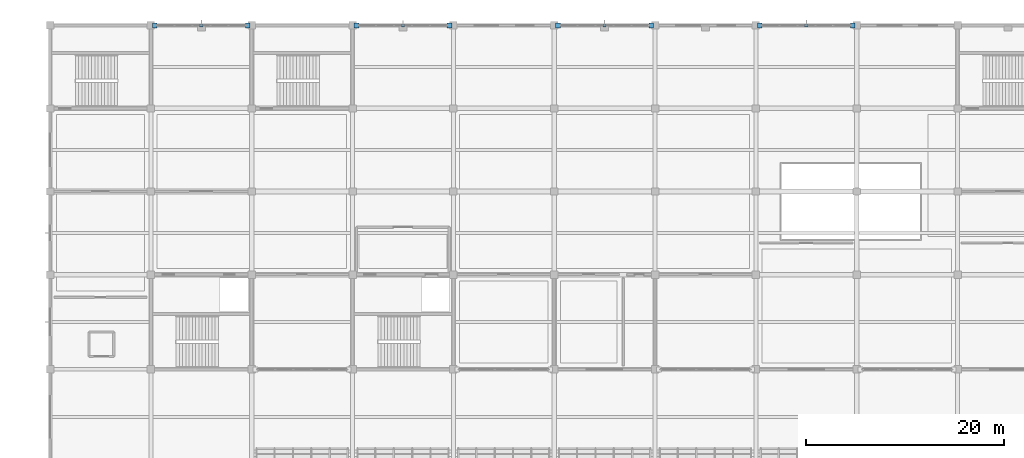
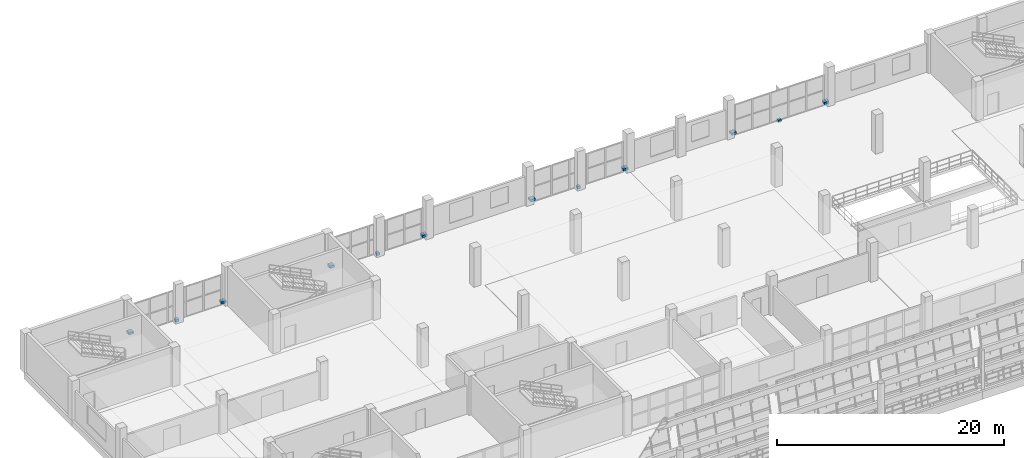
# One storey, part 142 of 157: 12 discrete accessories.
"""IFC4 building model written with IfcOpenShell, lengths in metres."""

from ifc_helpers import new_model, si_unit, direction, frame, origin, origin_2d, place, context, subcontext, project, spatial, rectangle, extrude, material, type_object, element, save


model = new_model("IFC4")

# Units and contexts
model_context = context("Model", 3, precision=1e-05, world=origin(), true_north=direction((0.0, 1.0)))
body_context = subcontext(model_context, "Body", "Model", "MODEL_VIEW")
ifc_project = project(units=[si_unit("LENGTHUNIT", "METRE"), si_unit("AREAUNIT", "SQUARE_METRE"), si_unit("VOLUMEUNIT", "CUBIC_METRE"), si_unit("PLANEANGLEUNIT", "RADIAN"), si_unit("MASSUNIT", "GRAM", prefix="KILO")], contexts=[model_context])

# Site, building, storey
site_placement = place(None, origin())
site = spatial("IfcSite", under=ifc_project, at=site_placement, CompositionType="ELEMENT")
building_placement = place(site_placement, origin())
building = spatial("IfcBuilding", under=site, at=building_placement, Name="Brelvane Convention Centre", CompositionType="ELEMENT")
storey_placement = place(building_placement, frame((0.0, 0.0, 10.800048828125)))
storey = spatial("IfcBuildingStorey", under=building, at=storey_placement, Name="L02", CompositionType="ELEMENT", Elevation=10.800048828125)

# Discrete accessories
ifc_material = material(Name="Steel E350 (350 MPa)", Category="steel")
discrete_accessory_type = type_object("IfcDiscreteAccessoryType", Name="Facade Outrigger Bracket BRK-02", PredefinedType="BRACKET", material=ifc_material)
for number, where, z_axis, x_axis, name in (
    (1, (10.590087890625, 144.0, 0.22998046875), (0.0, 0.0, 1.0), (1.0, 0.0, 0.0), "Curtain Wall Anchor Bracket L02-V4N-02-L"),
    (2, (20.010009765625, 144.0, 0.22998046875), (0.0, 0.0, 1.0), (1.0, 0.0, 0.0), "Curtain Wall Anchor Bracket L02-V4N-02-R"),
):
    element("IfcDiscreteAccessory", number, at=place(storey_placement, frame(where, z_axis=z_axis, x_axis=x_axis)), inside=storey, type_object=discrete_accessory_type, Name=name, PredefinedType="BRACKET", context=body_context, shape_type="SweptSolid", body=[
        extrude(rectangle(XDim=0.47998046875, YDim=0.47998046875, at=origin_2d()), origin(), (0.0, 0.0, 1.0), 0.239990234375),
    ])
discrete_accessory_1_placement = place(storey_placement, frame((15.300048828125, 144.0, -0.14013671875), z_axis=(0.0, 0.0, 1.0), x_axis=(1.0, 0.0, 0.0)))
element("IfcDiscreteAccessory", 3, at=discrete_accessory_1_placement, inside=storey, type_object=discrete_accessory_type, Name="Curtain Wall Anchor Bracket L02-V4N-02-B", PredefinedType="BRACKET", context=body_context, shape_type="SweptSolid", body=[
    extrude(rectangle(XDim=0.320068359375, YDim=0.320068359375, at=origin_2d()), origin(), (0.0, 0.0, 1.0), 0.280029296875),
])
for number, where, z_axis, x_axis, name in (
    (4, (30.989990234375, 144.0, 0.22998046875), (0.0, 0.0, 1.0), (1.0, 0.0, 0.0), "Curtain Wall Anchor Bracket L02-V4N-04-L"),
    (5, (40.409912109375, 144.0, 0.22998046875), (0.0, 0.0, 1.0), (1.0, 0.0, 0.0), "Curtain Wall Anchor Bracket L02-V4N-04-R"),
):
    element("IfcDiscreteAccessory", number, at=place(storey_placement, frame(where, z_axis=z_axis, x_axis=x_axis)), inside=storey, type_object=discrete_accessory_type, Name=name, PredefinedType="BRACKET", context=body_context, shape_type="SweptSolid", body=[
        extrude(rectangle(XDim=0.47998046875, YDim=0.47998046875, at=origin_2d()), origin(), (0.0, 0.0, 1.0), 0.239990234375),
    ])
discrete_accessory_2_placement = place(storey_placement, frame((35.699951171875, 144.0, -0.14013671875), z_axis=(0.0, 0.0, 1.0), x_axis=(1.0, 0.0, 0.0)))
element("IfcDiscreteAccessory", 6, at=discrete_accessory_2_placement, inside=storey, type_object=discrete_accessory_type, Name="Curtain Wall Anchor Bracket L02-V4N-04-B", PredefinedType="BRACKET", context=body_context, shape_type="SweptSolid", body=[
    extrude(rectangle(XDim=0.320068359375, YDim=0.320068359375, at=origin_2d()), origin(), (0.0, 0.0, 1.0), 0.280029296875),
])
for number, where, z_axis, x_axis, name in (
    (7, (51.389892578125, 144.0, 0.22998046875), (0.0, 0.0, 1.0), (1.0, 0.0, 0.0), "Curtain Wall Anchor Bracket L02-V4N-06-L"),
    (8, (60.81005859375, 144.0, 0.22998046875), (0.0, 0.0, 1.0), (1.0, 0.0, 0.0), "Curtain Wall Anchor Bracket L02-V4N-06-R"),
):
    element("IfcDiscreteAccessory", number, at=place(storey_placement, frame(where, z_axis=z_axis, x_axis=x_axis)), inside=storey, type_object=discrete_accessory_type, Name=name, PredefinedType="BRACKET", context=body_context, shape_type="SweptSolid", body=[
        extrude(rectangle(XDim=0.47998046875, YDim=0.47998046875, at=origin_2d()), origin(), (0.0, 0.0, 1.0), 0.239990234375),
    ])
discrete_accessory_3_placement = place(storey_placement, frame((56.10009765625, 144.0, -0.14013671875), z_axis=(0.0, 0.0, 1.0), x_axis=(1.0, 0.0, 0.0)))
element("IfcDiscreteAccessory", 9, at=discrete_accessory_3_placement, inside=storey, type_object=discrete_accessory_type, Name="Curtain Wall Anchor Bracket L02-V4N-06-B", PredefinedType="BRACKET", context=body_context, shape_type="SweptSolid", body=[
    extrude(rectangle(XDim=0.320068359375, YDim=0.320068359375, at=origin_2d()), origin(), (0.0, 0.0, 1.0), 0.280029296875),
])
for number, where, z_axis, x_axis, name in (
    (10, (71.7900390625, 144.0, 0.22998046875), (0.0, 0.0, 1.0), (1.0, 0.0, 0.0), "Curtain Wall Anchor Bracket L02-V4N-08-L"),
    (11, (81.2099609375, 144.0, 0.22998046875), (0.0, 0.0, 1.0), (1.0, 0.0, 0.0), "Curtain Wall Anchor Bracket L02-V4N-08-R"),
):
    element("IfcDiscreteAccessory", number, at=place(storey_placement, frame(where, z_axis=z_axis, x_axis=x_axis)), inside=storey, type_object=discrete_accessory_type, Name=name, PredefinedType="BRACKET", context=body_context, shape_type="SweptSolid", body=[
        extrude(rectangle(XDim=0.47998046875, YDim=0.47998046875, at=origin_2d()), origin(), (0.0, 0.0, 1.0), 0.239990234375),
    ])
discrete_accessory_4_placement = place(storey_placement, frame((76.5, 144.0, -0.14013671875), z_axis=(0.0, 0.0, 1.0), x_axis=(1.0, 0.0, 0.0)))
element("IfcDiscreteAccessory", 12, at=discrete_accessory_4_placement, inside=storey, type_object=discrete_accessory_type, Name="Curtain Wall Anchor Bracket L02-V4N-08-B", PredefinedType="BRACKET", context=body_context, shape_type="SweptSolid", body=[
    extrude(rectangle(XDim=0.320068359375, YDim=0.320068359375, at=origin_2d()), origin(), (0.0, 0.0, 1.0), 0.280029296875),
])

save(model, "model.ifc")
